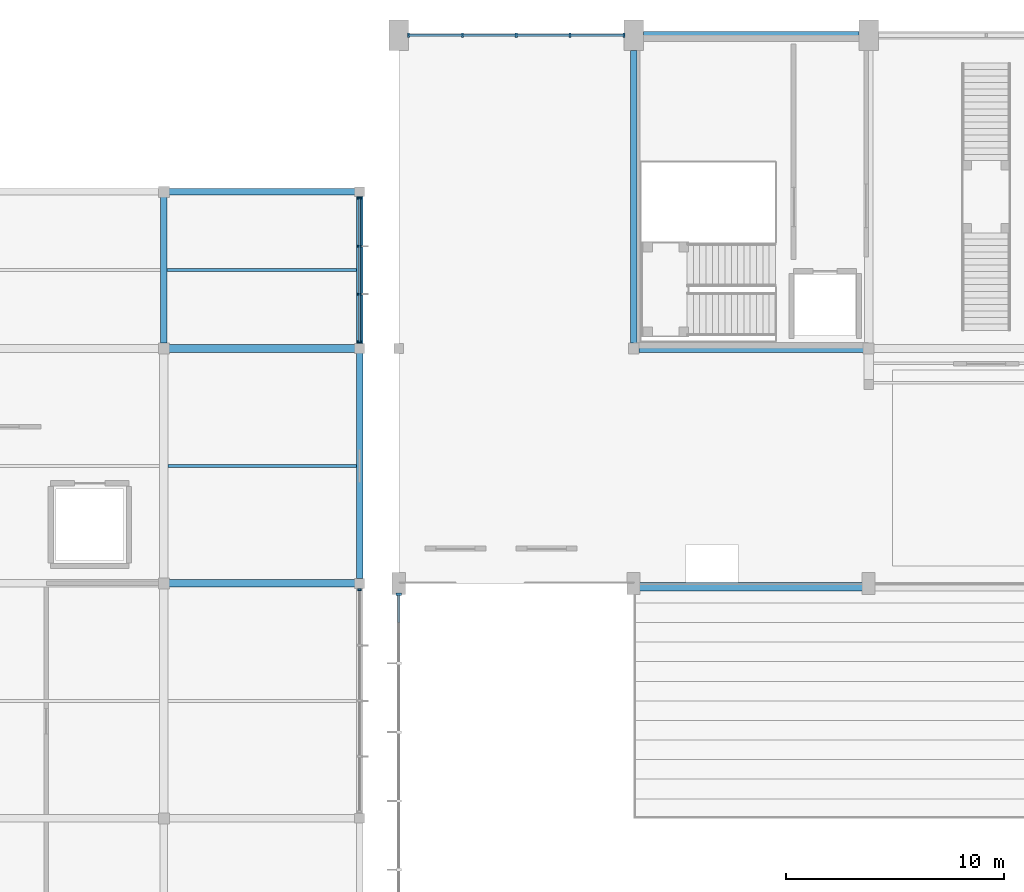
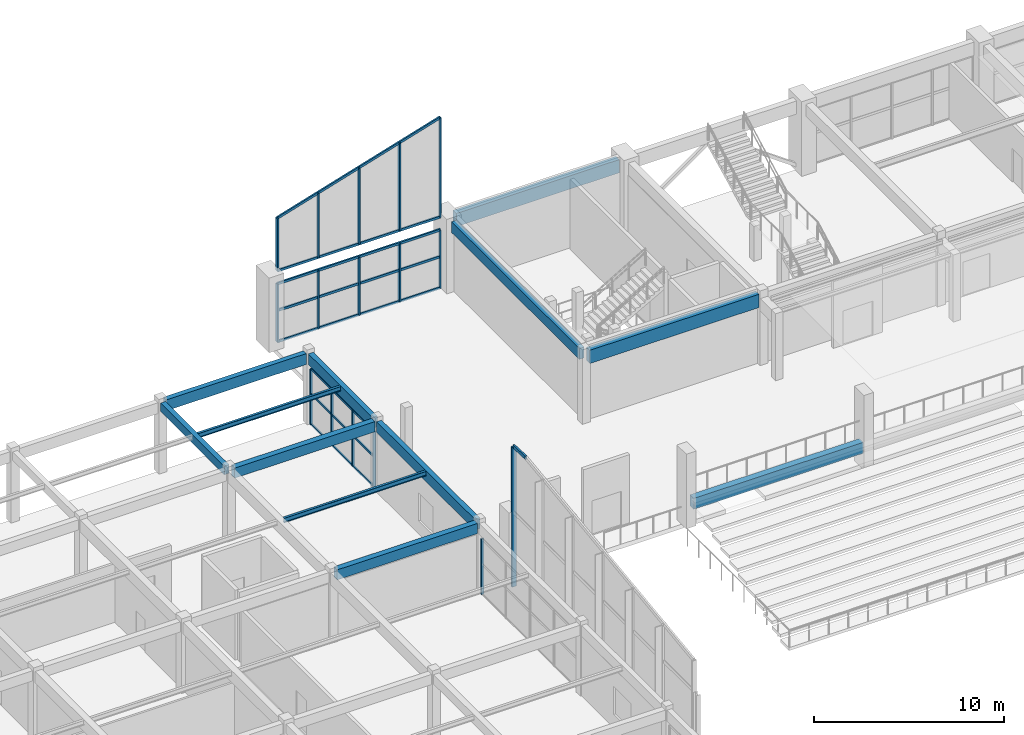
# One storey, part 24 of 74: 39 members, 12 beams, 5 elements without a shape of their own.
"""IFC4 building model written with IfcOpenShell, lengths in metres."""

from ifc_helpers import new_model, si_unit, direction, frame, origin, origin_2d, place, context, subcontext, project, spatial, rectangle, i_section, extrude, material, material_profile, profile_set, type_object, element, aggregate, save


model = new_model("IFC4")

# Units and contexts
model_context = context("Model", 3, precision=1e-05, world=origin(), true_north=direction((0.0, 1.0)))
body_context = subcontext(model_context, "Body", "Model", "MODEL_VIEW")
ifc_project = project(units=[si_unit("LENGTHUNIT", "METRE"), si_unit("AREAUNIT", "SQUARE_METRE"), si_unit("VOLUMEUNIT", "CUBIC_METRE"), si_unit("PLANEANGLEUNIT", "RADIAN"), si_unit("MASSUNIT", "GRAM", prefix="KILO")], contexts=[model_context])

# Site, building, storey
site_placement = place(None, origin())
site = spatial("IfcSite", under=ifc_project, at=site_placement, CompositionType="ELEMENT")
building_placement = place(site_placement, origin())
building = spatial("IfcBuilding", under=site, at=building_placement, Name="Suirenkawa Promenade Aquatics Centre", CompositionType="ELEMENT")
storey_placement = place(building_placement, frame((0.0, 0.0, 4.800048828125)))
storey = spatial("IfcBuildingStorey", under=building, at=storey_placement, Name="L01", CompositionType="ELEMENT", Elevation=4.800048828125)

# Beams
ifc_material_1 = material(Name="Steel IS 2062 E350 (Grade 350)", Category="steel")
ifc_material_profile_1 = material_profile(ifc_material_1, i_section(OverallWidth=0.139892578125, OverallDepth=0.300048828125, WebThickness=0.008056640625, FlangeThickness=0.012939453125, at=origin_2d()), Name="ISMB 300", Category="steel")
ifc_profile_set_1 = profile_set([ifc_material_profile_1], Name="Steel IS 2062 E350 (Grade 350)")
beam_type_1 = type_object("IfcBeamType", Name="BT-JOIST-ISMB300", PredefinedType="JOIST", material=ifc_profile_set_1)
beam_1_placement = place(storey_placement, frame((36.194091796875, 102.60009765625, 4.387939453125), z_axis=(1.0, 0.0, 0.0), x_axis=(0.0, 1.0, 0.0)))
element("IfcBeam", 1, at=beam_1_placement, inside=storey, type_object=beam_type_1, Name="Secondary floor joist JS-02 BM-0576", PredefinedType="JOIST", context=body_context, shape_type="SweptSolid", body=[
    extrude(i_section(OverallWidth=0.139892578125, OverallDepth=0.300048828125, WebThickness=0.008056640625, FlangeThickness=0.012939453125, at=origin_2d()), origin(), (0.0, 0.0, 1.0), 8.661865234375),
])
beam_2_placement = place(storey_placement, frame((36.14404296875, 111.60009765625, 4.387939453125), z_axis=(1.0, 0.0, 0.0), x_axis=(0.0, 1.0, 0.0)))
element("IfcBeam", 2, at=beam_2_placement, inside=storey, type_object=beam_type_1, Name="Secondary floor joist JS-02 BM-0577", PredefinedType="JOIST", context=body_context, shape_type="SweptSolid", body=[
    extrude(i_section(OverallWidth=0.139892578125, OverallDepth=0.300048828125, WebThickness=0.008056640625, FlangeThickness=0.012939453125, at=origin_2d()), origin(), (0.0, 0.0, 1.0), 8.7119140625),
])
ifc_material_2 = material(Name="Concrete M35", Category="concrete")
ifc_material_profile_2 = material_profile(ifc_material_2, rectangle(XDim=0.300048828125, YDim=0.550048828125, at=origin_2d()), Name="RC BM 300x550", Category="concrete")
ifc_profile_set_2 = profile_set([ifc_material_profile_2], Name="Concrete M35")
beam_type_2 = type_object("IfcBeamType", Name="BT-RC-300x550", PredefinedType="BEAM", material=ifc_profile_set_2)
beam_3_placement = place(storey_placement, frame((36.0, 108.243896484375, 4.264892578125), z_axis=(0.0, 1.0, 0.0), x_axis=(-1.0, 0.0, 0.0)))
element("IfcBeam", 3, at=beam_3_placement, inside=storey, type_object=beam_type_2, Name="Floor beam BM-01 BM-0509", PredefinedType="BEAM", context=body_context, shape_type="SweptSolid", body=[
    extrude(rectangle(XDim=0.300048828125, YDim=0.550048828125, at=origin_2d()), origin(), (0.0, 0.0, 1.0), 6.712158203125),
])
ifc_material_profile_3 = material_profile(ifc_material_2, rectangle(XDim=0.35009765625, YDim=0.64990234375, at=origin_2d()), Name="RC BM 350x650", Category="concrete")
ifc_profile_set_3 = profile_set([ifc_material_profile_3], Name="Concrete M35")
beam_type_3 = type_object("IfcBeamType", Name="BT-RC-350x650", PredefinedType="BEAM", material=ifc_profile_set_3)
for number, where, z_axis, x_axis, name in (
    (4, (36.243896484375, 97.199951171875, 4.21484375), (1.0, 0.0, 0.0), (0.0, 1.0, 0.0), "Floor beam BM-03 BM-0439"),
    (5, (36.243896484375, 108.0, 4.21484375), (1.0, 0.0, 0.0), (0.0, 1.0, 0.0), "Floor beam BM-03 BM-0444"),
):
    element("IfcBeam", number, at=place(storey_placement, frame(where, z_axis=z_axis, x_axis=x_axis)), inside=storey, type_object=beam_type_3, Name=name, PredefinedType="BEAM", context=body_context, shape_type="SweptSolid", body=[
        extrude(rectangle(XDim=0.35009765625, YDim=0.64990234375, at=origin_2d()), origin(), (0.0, 0.0, 1.0), 8.537109375),
    ])
ifc_material_profile_4 = material_profile(ifc_material_2, rectangle(XDim=0.39990234375, YDim=0.699951171875, at=origin_2d()), Name="RC BM 400x700", Category="concrete")
ifc_profile_set_4 = profile_set([ifc_material_profile_4], Name="Concrete M35")
beam_type_4 = type_object("IfcBeamType", Name="BT-RC-400x700", PredefinedType="BEAM", material=ifc_profile_set_4)
beam_4_placement = place(storey_placement, frame((57.840087890625, 97.050048828125, 1.329833984375), z_axis=(1.0, 0.0, 0.0), x_axis=(0.0, 1.0, 0.0)))
element("IfcBeam", 6, at=beam_4_placement, inside=storey, type_object=beam_type_4, Name="Bowl top header beam BM-04 BM-1176", PredefinedType="BEAM", context=body_context, shape_type="SweptSolid", body=[
    extrude(rectangle(XDim=0.39990234375, YDim=0.699951171875, at=origin_2d()), origin(), (0.0, 0.0, 1.0), 10.31982421875),
])
ifc_material_3 = material(Name="Concrete M40", Category="concrete")
ifc_material_profile_5 = material_profile(ifc_material_3, rectangle(XDim=0.300048828125, YDim=0.699951171875, at=origin_2d()), Name="RC SPANDREL 300x700", Category="concrete")
ifc_profile_set_5 = profile_set([ifc_material_profile_5], Name="Concrete M40")
beam_type_5 = type_object("IfcBeamType", Name="BT-SPANDREL-300x700", PredefinedType="SPANDREL", material=ifc_profile_set_5)
beam_5_placement = place(storey_placement, frame((36.243896484375, 115.199951171875, 4.18994140625), z_axis=(1.0, 0.0, 0.0), x_axis=(0.0, 1.0, 0.0)))
element("IfcBeam", 7, at=beam_5_placement, inside=storey, type_object=beam_type_5, Name="Floor beam SP-01 BM-0449", PredefinedType="SPANDREL", context=body_context, shape_type="SweptSolid", body=[
    extrude(rectangle(XDim=0.300048828125, YDim=0.699951171875, at=origin_2d()), origin(), (0.0, 0.0, 1.0), 8.537109375),
])
beam_6_placement = place(storey_placement, frame((45.0, 97.4189453125, 4.18994140625), z_axis=(0.0, 1.0, 0.0), x_axis=(-1.0, 0.0, 0.0)))
element("IfcBeam", 8, at=beam_6_placement, inside=storey, type_object=beam_type_5, Name="Floor beam SP-01 BM-0520", PredefinedType="SPANDREL", context=body_context, shape_type="SweptSolid", body=[
    extrude(rectangle(XDim=0.300048828125, YDim=0.699951171875, at=origin_2d()), origin(), (0.0, 0.0, 1.0), 10.362060546875),
])
beam_7_placement = place(storey_placement, frame((45.0, 108.218994140625, 4.18994140625), z_axis=(0.0, 1.0, 0.0), x_axis=(-1.0, 0.0, 0.0)))
element("IfcBeam", 9, at=beam_7_placement, inside=storey, type_object=beam_type_5, Name="Floor beam SP-01 BM-0521", PredefinedType="SPANDREL", context=body_context, shape_type="SweptSolid", body=[
    extrude(rectangle(XDim=0.300048828125, YDim=0.699951171875, at=origin_2d()), origin(), (0.0, 0.0, 1.0), 6.761962890625),
])
beam_8_placement = place(storey_placement, frame((57.60009765625, 108.243896484375, 4.199951171875), z_axis=(0.0, 1.0, 0.0), x_axis=(-1.0, 0.0, 0.0)))
element("IfcBeam", 10, at=beam_8_placement, inside=storey, type_object=beam_type_5, Name="Floor beam SP-01 BM-1142", PredefinedType="SPANDREL", context=body_context, shape_type="SweptSolid", body=[
    extrude(rectangle(XDim=0.300048828125, YDim=0.699951171875, at=origin_2d()), origin(), (0.0, 0.0, 1.0), 13.462158203125),
])
ifc_material_profile_6 = material_profile(ifc_material_3, rectangle(XDim=0.35009765625, YDim=0.85009765625, at=origin_2d()), Name="RC SPANDREL 350x850", Category="concrete")
ifc_profile_set_6 = profile_set([ifc_material_profile_6], Name="Concrete M40")
beam_type_6 = type_object("IfcBeamType", Name="BT-SPANDREL-350x850", PredefinedType="SPANDREL", material=ifc_profile_set_6)
beam_9_placement = place(storey_placement, frame((57.843994140625, 108.0, 4.125), z_axis=(1.0, 0.0, 0.0), x_axis=(0.0, 1.0, 0.0)))
element("IfcBeam", 11, at=beam_9_placement, inside=storey, type_object=beam_type_6, Name="Floor beam SP-02 BM-1126", PredefinedType="SPANDREL", context=body_context, shape_type="SweptSolid", body=[
    extrude(rectangle(XDim=0.35009765625, YDim=0.85009765625, at=origin_2d()), origin(), (0.0, 0.0, 1.0), 10.31201171875),
])
beam_10_placement = place(storey_placement, frame((58.0439453125, 122.39990234375, 4.125), z_axis=(1.0, 0.0, 0.0), x_axis=(0.0, 1.0, 0.0)))
element("IfcBeam", 12, at=beam_10_placement, inside=storey, type_object=beam_type_6, Name="Floor beam SP-02 BM-1134", PredefinedType="SPANDREL", context=body_context, shape_type="SweptSolid", body=[
    extrude(rectangle(XDim=0.35009765625, YDim=0.85009765625, at=origin_2d()), origin(), (0.0, 0.0, 1.0), 9.912109375),
])

# Curtain wall, member
ifc_material_4 = material(Name="Anodised aluminium 6063-T6", Category="aluminium")
curtain_wall_type_1 = type_object("IfcCurtainWallType", Name="CWAT-V5EL01-53", PredefinedType="NOTDEFINED", material=ifc_material_4)
curtain_wall_1_placement = place(storey_placement, origin())
curtain_wall_1 = element("IfcCurtainWall", 13, at=curtain_wall_1_placement, inside=storey, type_object=curtain_wall_type_1, Name="Curtain wall CWA-53 CW-109", PredefinedType="NOTDEFINED")
ifc_material_profile_7 = material_profile(ifc_material_4, rectangle(XDim=0.090087890625, YDim=0.159912109375, at=origin_2d()), Name="ALU MULL 90x160", Category="aluminium")
ifc_profile_set_7 = profile_set([ifc_material_profile_7], Name="Anodised aluminium 6063-T6")
member_type_1 = type_object("IfcMemberType", Name="CWM-160x90", PredefinedType="MULLION", material=ifc_profile_set_7)
member_1_placement = place(storey_placement, frame((45.0, 96.90087890625, 0.0), z_axis=(0.0, 0.0, 1.0), x_axis=(0.0, -1.0, 0.0)))
member_1 = element("IfcMember", 14, at=member_1_placement, type_object=member_type_1, Name="Mullion ML-03 CWM-02187", PredefinedType="MULLION", context=body_context, shape_type="SweptSolid", body=[
    extrude(rectangle(XDim=0.090087890625, YDim=0.159912109375, at=origin_2d()), origin(), (0.0, 0.0, 1.0), 3.570068359375),
])
aggregate(curtain_wall_1, [member_1])

# Curtain wall, members
curtain_wall_type_2 = type_object("IfcCurtainWallType", Name="CWAT-V5EL01-59", PredefinedType="NOTDEFINED", material=ifc_material_4)
curtain_wall_2_placement = place(storey_placement, origin())
curtain_wall_2 = element("IfcCurtainWall", 15, at=curtain_wall_2_placement, inside=storey, type_object=curtain_wall_type_2, Name="Curtain wall CWA-59 CW-112", PredefinedType="NOTDEFINED")
member_2_placement = place(storey_placement, frame((45.0, 114.90087890625, 0.0), z_axis=(0.0, 0.0, 1.0), x_axis=(0.0, -1.0, 0.0)))
member_2 = element("IfcMember", 16, at=member_2_placement, type_object=member_type_1, Name="Mullion ML-03 CWM-02248", PredefinedType="MULLION", context=body_context, shape_type="SweptSolid", body=[
    extrude(rectangle(XDim=0.090087890625, YDim=0.159912109375, at=origin_2d()), origin(), (0.0, 0.0, 1.0), 3.570068359375),
])
member_3_placement = place(storey_placement, frame((45.0, 112.700439453125, 0.0), z_axis=(0.0, 0.0, 1.0), x_axis=(0.0, -1.0, 0.0)))
member_3 = element("IfcMember", 17, at=member_3_placement, type_object=member_type_1, Name="Mullion ML-03 CWM-02249", PredefinedType="MULLION", context=body_context, shape_type="SweptSolid", body=[
    extrude(rectangle(XDim=0.090087890625, YDim=0.159912109375, at=origin_2d()), origin(), (0.0, 0.0, 1.0), 3.570068359375),
])
member_4_placement = place(storey_placement, frame((45.0, 110.499755859375, 0.0), z_axis=(0.0, 0.0, 1.0), x_axis=(0.0, -1.0, 0.0)))
member_4 = element("IfcMember", 18, at=member_4_placement, type_object=member_type_1, Name="Mullion ML-03 CWM-02250", PredefinedType="MULLION", context=body_context, shape_type="SweptSolid", body=[
    extrude(rectangle(XDim=0.090087890625, YDim=0.159912109375, at=origin_2d()), origin(), (0.0, 0.0, 1.0), 3.570068359375),
])
member_5_placement = place(storey_placement, frame((45.0, 108.299072265625, 0.0), z_axis=(0.0, 0.0, 1.0), x_axis=(0.0, -1.0, 0.0)))
member_5 = element("IfcMember", 19, at=member_5_placement, type_object=member_type_1, Name="Mullion ML-03 CWM-02251", PredefinedType="MULLION", context=body_context, shape_type="SweptSolid", body=[
    extrude(rectangle(XDim=0.090087890625, YDim=0.159912109375, at=origin_2d()), origin(), (0.0, 0.0, 1.0), 3.570068359375),
])

curtain_wall_type_3 = type_object("IfcCurtainWallType", Name="CWAT-CLERN-06", PredefinedType="NOTDEFINED", material=ifc_material_4)
curtain_wall_3_placement = place(storey_placement, origin())
curtain_wall_3 = element("IfcCurtainWall", 20, at=curtain_wall_3_placement, inside=storey, type_object=curtain_wall_type_3, Name="Curtain wall CWA-06 CW-010", PredefinedType="NOTDEFINED")
ifc_material_profile_8 = material_profile(ifc_material_4, rectangle(XDim=0.094970703125, YDim=0.18994140625, at=origin_2d()), Name="ALU MULL 95x190", Category="aluminium")
ifc_profile_set_8 = profile_set([ifc_material_profile_8], Name="Anodised aluminium 6063-T6")
member_type_2 = type_object("IfcMemberType", Name="CWM-190x95", PredefinedType="MULLION", material=ifc_profile_set_8)
member_6_placement = place(storey_placement, frame((47.2490234375, 122.39990234375, 4.56005859375), z_axis=(0.0, 0.0, 1.0), x_axis=(1.0, 0.0, 0.0)))
member_6 = element("IfcMember", 21, at=member_6_placement, type_object=member_type_2, Name="Mullion ML-02 CWM-00228", PredefinedType="MULLION", context=body_context, shape_type="SweptSolid", body=[
    extrude(rectangle(XDim=0.094970703125, YDim=0.18994140625, at=origin_2d()), origin(), (0.0, 0.0, 1.0), 3.389892578125),
])
member_7_placement = place(storey_placement, frame((49.724609375, 122.39990234375, 4.56005859375), z_axis=(0.0, 0.0, 1.0), x_axis=(1.0, 0.0, 0.0)))
member_7 = element("IfcMember", 22, at=member_7_placement, type_object=member_type_2, Name="Mullion ML-02 CWM-00229", PredefinedType="MULLION", context=body_context, shape_type="SweptSolid", body=[
    extrude(rectangle(XDim=0.094970703125, YDim=0.18994140625, at=origin_2d()), origin(), (0.0, 0.0, 1.0), 4.139892578125),
])
member_8_placement = place(storey_placement, frame((52.199951171875, 122.39990234375, 4.56005859375), z_axis=(0.0, 0.0, 1.0), x_axis=(1.0, 0.0, 0.0)))
member_8 = element("IfcMember", 23, at=member_8_placement, type_object=member_type_2, Name="Mullion ML-02 CWM-00230", PredefinedType="MULLION", context=body_context, shape_type="SweptSolid", body=[
    extrude(rectangle(XDim=0.094970703125, YDim=0.18994140625, at=origin_2d()), origin(), (0.0, 0.0, 1.0), 4.889892578125),
])
member_9_placement = place(storey_placement, frame((54.675537109375, 122.39990234375, 4.56005859375), z_axis=(0.0, 0.0, 1.0), x_axis=(1.0, 0.0, 0.0)))
member_9 = element("IfcMember", 24, at=member_9_placement, type_object=member_type_2, Name="Mullion ML-02 CWM-00231", PredefinedType="MULLION", context=body_context, shape_type="SweptSolid", body=[
    extrude(rectangle(XDim=0.094970703125, YDim=0.18994140625, at=origin_2d()), origin(), (0.0, 0.0, 1.0), 5.639892578125),
])
member_10_placement = place(storey_placement, frame((57.15087890625, 122.39990234375, 4.56005859375), z_axis=(0.0, 0.0, 1.0), x_axis=(1.0, 0.0, 0.0)))
member_10 = element("IfcMember", 25, at=member_10_placement, type_object=member_type_2, Name="Mullion ML-02 CWM-00232", PredefinedType="MULLION", context=body_context, shape_type="SweptSolid", body=[
    extrude(rectangle(XDim=0.094970703125, YDim=0.18994140625, at=origin_2d()), origin(), (0.0, 0.0, 1.0), 6.389892578125),
])

curtain_wall_type_4 = type_object("IfcCurtainWallType", Name="CWAT-V1CONC-07", PredefinedType="NOTDEFINED", material=ifc_material_4)
curtain_wall_4_placement = place(storey_placement, origin())
curtain_wall_4 = element("IfcCurtainWall", 26, at=curtain_wall_4_placement, inside=storey, type_object=curtain_wall_type_4, Name="Curtain wall CWA-07 CW-011", PredefinedType="NOTDEFINED")
member_11_placement = place(storey_placement, frame((47.2490234375, 122.39990234375, 0.0), z_axis=(0.0, 0.0, 1.0), x_axis=(1.0, 0.0, 0.0)))
member_11 = element("IfcMember", 27, at=member_11_placement, type_object=member_type_2, Name="Mullion ML-02 CWM-00243", PredefinedType="MULLION", context=body_context, shape_type="SweptSolid", body=[
    extrude(rectangle(XDim=0.094970703125, YDim=0.18994140625, at=origin_2d()), origin(), (0.0, 0.0, 1.0), 3.719970703125),
])
member_12_placement = place(storey_placement, frame((49.724609375, 122.39990234375, 0.0), z_axis=(0.0, 0.0, 1.0), x_axis=(1.0, 0.0, 0.0)))
member_12 = element("IfcMember", 28, at=member_12_placement, type_object=member_type_2, Name="Mullion ML-02 CWM-00244", PredefinedType="MULLION", context=body_context, shape_type="SweptSolid", body=[
    extrude(rectangle(XDim=0.094970703125, YDim=0.18994140625, at=origin_2d()), origin(), (0.0, 0.0, 1.0), 3.719970703125),
])
member_13_placement = place(storey_placement, frame((52.199951171875, 122.39990234375, 0.0), z_axis=(0.0, 0.0, 1.0), x_axis=(1.0, 0.0, 0.0)))
member_13 = element("IfcMember", 29, at=member_13_placement, type_object=member_type_2, Name="Mullion ML-02 CWM-00245", PredefinedType="MULLION", context=body_context, shape_type="SweptSolid", body=[
    extrude(rectangle(XDim=0.094970703125, YDim=0.18994140625, at=origin_2d()), origin(), (0.0, 0.0, 1.0), 3.719970703125),
])
member_14_placement = place(storey_placement, frame((54.675537109375, 122.39990234375, 0.0), z_axis=(0.0, 0.0, 1.0), x_axis=(1.0, 0.0, 0.0)))
member_14 = element("IfcMember", 30, at=member_14_placement, type_object=member_type_2, Name="Mullion ML-02 CWM-00246", PredefinedType="MULLION", context=body_context, shape_type="SweptSolid", body=[
    extrude(rectangle(XDim=0.094970703125, YDim=0.18994140625, at=origin_2d()), origin(), (0.0, 0.0, 1.0), 3.719970703125),
])
member_15_placement = place(storey_placement, frame((57.15087890625, 122.39990234375, 0.0), z_axis=(0.0, 0.0, 1.0), x_axis=(1.0, 0.0, 0.0)))
member_15 = element("IfcMember", 31, at=member_15_placement, type_object=member_type_2, Name="Mullion ML-02 CWM-00247", PredefinedType="MULLION", context=body_context, shape_type="SweptSolid", body=[
    extrude(rectangle(XDim=0.094970703125, YDim=0.18994140625, at=origin_2d()), origin(), (0.0, 0.0, 1.0), 3.719970703125),
])

# Curtain wall, member
curtain_wall_type_5 = type_object("IfcCurtainWallType", Name="CWAT-GABLEV1-04", PredefinedType="NOTDEFINED", material=ifc_material_4)
curtain_wall_5_placement = place(storey_placement, origin())
curtain_wall_5 = element("IfcCurtainWall", 32, at=curtain_wall_5_placement, inside=storey, type_object=curtain_wall_type_5, Name="Curtain wall CWA-04 CW-004", PredefinedType="NOTDEFINED")
ifc_material_profile_9 = material_profile(ifc_material_4, rectangle(XDim=0.110107421875, YDim=0.260009765625, at=origin_2d()), Name="ALU MULL 110x260", Category="aluminium")
ifc_profile_set_9 = profile_set([ifc_material_profile_9], Name="Anodised aluminium 6063-T6")
member_type_3 = type_object("IfcMemberType", Name="CWM-260x110", PredefinedType="MULLION", material=ifc_profile_set_9)
member_16_placement = place(storey_placement, frame((46.800048828125, 96.700927734375, 0.0), z_axis=(0.0, 0.0, 1.0), x_axis=(0.0, 1.0, 0.0)))
member_16 = element("IfcMember", 33, at=member_16_placement, type_object=member_type_3, Name="Mullion ML-04 CWM-00064", PredefinedType="MULLION", context=body_context, shape_type="SweptSolid", body=[
    extrude(rectangle(XDim=0.110107421875, YDim=0.260009765625, at=origin_2d()), origin(), (0.0, 0.0, 1.0), 8.996826171875),
])

# Member
ifc_material_profile_10 = material_profile(ifc_material_4, rectangle(XDim=0.090087890625, YDim=0.1298828125, at=origin_2d()), Name="ALU TRAN 90x130", Category="aluminium")
ifc_profile_set_10 = profile_set([ifc_material_profile_10], Name="Anodised aluminium 6063-T6")
member_type_4 = type_object("IfcMemberType", Name="CWT-130x90", PredefinedType="USERDEFINED", material=ifc_profile_set_10)
member_17_placement = place(storey_placement, frame((45.0, 114.90087890625, 0.0), z_axis=(0.0, -1.0, 0.0), x_axis=(1.0, 0.0, 0.0)))
member_17 = element("IfcMember", 34, at=member_17_placement, type_object=member_type_4, Name="Transom TR-03 CWT-02252", ObjectType="TRANSOM", PredefinedType="USERDEFINED", context=body_context, shape_type="SweptSolid", body=[
    extrude(rectangle(XDim=0.090087890625, YDim=0.1298828125, at=origin_2d()), origin(), (0.0, 0.0, 1.0), 2.200439453125),
])

member_18_placement = place(storey_placement, frame((45.0, 112.700439453125, 0.0), z_axis=(0.0, -1.0, 0.0), x_axis=(1.0, 0.0, 0.0)))
member_18 = element("IfcMember", 35, at=member_18_placement, type_object=member_type_4, Name="Transom TR-03 CWT-02253", ObjectType="TRANSOM", PredefinedType="USERDEFINED", context=body_context, shape_type="SweptSolid", body=[
    extrude(rectangle(XDim=0.090087890625, YDim=0.1298828125, at=origin_2d()), origin(), (0.0, 0.0, 1.0), 2.20068359375),
])

member_19_placement = place(storey_placement, frame((45.0, 110.499755859375, 0.0), z_axis=(0.0, -1.0, 0.0), x_axis=(1.0, 0.0, 0.0)))
member_19 = element("IfcMember", 36, at=member_19_placement, type_object=member_type_4, Name="Transom TR-03 CWT-02254", ObjectType="TRANSOM", PredefinedType="USERDEFINED", context=body_context, shape_type="SweptSolid", body=[
    extrude(rectangle(XDim=0.090087890625, YDim=0.1298828125, at=origin_2d()), origin(), (0.0, 0.0, 1.0), 2.20068359375),
])

member_20_placement = place(storey_placement, frame((45.0, 114.90087890625, 1.949951171875), z_axis=(0.0, -1.0, 0.0), x_axis=(1.0, 0.0, 0.0)))
member_20 = element("IfcMember", 37, at=member_20_placement, type_object=member_type_4, Name="Transom TR-03 CWT-02255", ObjectType="TRANSOM", PredefinedType="USERDEFINED", context=body_context, shape_type="SweptSolid", body=[
    extrude(rectangle(XDim=0.090087890625, YDim=0.1298828125, at=origin_2d()), origin(), (0.0, 0.0, 1.0), 2.200439453125),
])

member_21_placement = place(storey_placement, frame((45.0, 112.700439453125, 1.949951171875), z_axis=(0.0, -1.0, 0.0), x_axis=(1.0, 0.0, 0.0)))
member_21 = element("IfcMember", 38, at=member_21_placement, type_object=member_type_4, Name="Transom TR-03 CWT-02256", ObjectType="TRANSOM", PredefinedType="USERDEFINED", context=body_context, shape_type="SweptSolid", body=[
    extrude(rectangle(XDim=0.090087890625, YDim=0.1298828125, at=origin_2d()), origin(), (0.0, 0.0, 1.0), 2.20068359375),
])

member_22_placement = place(storey_placement, frame((45.0, 110.499755859375, 1.949951171875), z_axis=(0.0, -1.0, 0.0), x_axis=(1.0, 0.0, 0.0)))
member_22 = element("IfcMember", 39, at=member_22_placement, type_object=member_type_4, Name="Transom TR-03 CWT-02257", ObjectType="TRANSOM", PredefinedType="USERDEFINED", context=body_context, shape_type="SweptSolid", body=[
    extrude(rectangle(XDim=0.090087890625, YDim=0.1298828125, at=origin_2d()), origin(), (0.0, 0.0, 1.0), 2.20068359375),
])

member_23_placement = place(storey_placement, frame((45.0, 114.90087890625, 3.570068359375), z_axis=(0.0, -1.0, 0.0), x_axis=(1.0, 0.0, 0.0)))
member_23 = element("IfcMember", 40, at=member_23_placement, type_object=member_type_4, Name="Roofline transom TR-03 CWT-02258", ObjectType="TRANSOM", PredefinedType="USERDEFINED", context=body_context, shape_type="SweptSolid", body=[
    extrude(rectangle(XDim=0.090087890625, YDim=0.1298828125, at=origin_2d()), origin(), (0.0, 0.0, 1.0), 6.601806640625),
])

aggregate(curtain_wall_2, [member_2, member_3, member_4, member_5, member_17, member_18, member_19, member_20, member_21, member_22, member_23])

ifc_material_profile_11 = material_profile(ifc_material_4, rectangle(XDim=0.094970703125, YDim=0.14990234375, at=origin_2d()), Name="ALU TRAN 95x150", Category="aluminium")
ifc_profile_set_11 = profile_set([ifc_material_profile_11], Name="Anodised aluminium 6063-T6")
member_type_5 = type_object("IfcMemberType", Name="CWT-150x95", PredefinedType="USERDEFINED", material=ifc_profile_set_11)
member_24_placement = place(storey_placement, frame((47.2490234375, 122.39990234375, 4.56005859375), z_axis=(1.0, 0.0, 0.0), x_axis=(0.0, 1.0, 0.0)))
member_24 = element("IfcMember", 41, at=member_24_placement, type_object=member_type_5, Name="Transom TR-02 CWT-00233", ObjectType="TRANSOM", PredefinedType="USERDEFINED", context=body_context, shape_type="SweptSolid", body=[
    extrude(rectangle(XDim=0.094970703125, YDim=0.14990234375, at=origin_2d()), origin(), (0.0, 0.0, 1.0), 2.4755859375),
])

member_25_placement = place(storey_placement, frame((49.724609375, 122.39990234375, 4.56005859375), z_axis=(1.0, 0.0, 0.0), x_axis=(0.0, 1.0, 0.0)))
member_25 = element("IfcMember", 42, at=member_25_placement, type_object=member_type_5, Name="Transom TR-02 CWT-00234", ObjectType="TRANSOM", PredefinedType="USERDEFINED", context=body_context, shape_type="SweptSolid", body=[
    extrude(rectangle(XDim=0.094970703125, YDim=0.14990234375, at=origin_2d()), origin(), (0.0, 0.0, 1.0), 2.475341796875),
])

member_26_placement = place(storey_placement, frame((52.199951171875, 122.39990234375, 4.56005859375), z_axis=(1.0, 0.0, 0.0), x_axis=(0.0, 1.0, 0.0)))
member_26 = element("IfcMember", 43, at=member_26_placement, type_object=member_type_5, Name="Transom TR-02 CWT-00235", ObjectType="TRANSOM", PredefinedType="USERDEFINED", context=body_context, shape_type="SweptSolid", body=[
    extrude(rectangle(XDim=0.094970703125, YDim=0.14990234375, at=origin_2d()), origin(), (0.0, 0.0, 1.0), 2.4755859375),
])

member_27_placement = place(storey_placement, frame((54.675537109375, 122.39990234375, 4.56005859375), z_axis=(1.0, 0.0, 0.0), x_axis=(0.0, 1.0, 0.0)))
member_27 = element("IfcMember", 44, at=member_27_placement, type_object=member_type_5, Name="Transom TR-02 CWT-00236", ObjectType="TRANSOM", PredefinedType="USERDEFINED", context=body_context, shape_type="SweptSolid", body=[
    extrude(rectangle(XDim=0.094970703125, YDim=0.14990234375, at=origin_2d()), origin(), (0.0, 0.0, 1.0), 2.475341796875),
])

member_28_placement = place(storey_placement, frame((47.2490234375, 122.39990234375, 7.949951171875), z_axis=(0.957039486046, 0.0, 0.289957621296), x_axis=(0.0, 1.0, 0.0)))
member_28 = element("IfcMember", 45, at=member_28_placement, type_object=member_type_5, Name="Roofline transom TR-02 CWT-00237", ObjectType="TRANSOM", PredefinedType="USERDEFINED", context=body_context, shape_type="SweptSolid", body=[
    extrude(rectangle(XDim=0.094970703125, YDim=0.14990234375, at=origin_2d()), origin(), (0.0, 0.0, 1.0), 5.173095703125),
])

member_29_placement = place(storey_placement, frame((52.199951171875, 122.39990234375, 9.449951171875), z_axis=(0.957039486046, 0.0, 0.289957621296), x_axis=(0.0, 1.0, 0.0)))
member_29 = element("IfcMember", 46, at=member_29_placement, type_object=member_type_5, Name="Roofline transom TR-02 CWT-00238", ObjectType="TRANSOM", PredefinedType="USERDEFINED", context=body_context, shape_type="SweptSolid", body=[
    extrude(rectangle(XDim=0.094970703125, YDim=0.14990234375, at=origin_2d()), origin(), (0.0, 0.0, 1.0), 5.173095703125),
])

aggregate(curtain_wall_3, [member_6, member_7, member_8, member_9, member_10, member_24, member_25, member_26, member_27, member_28, member_29])

member_30_placement = place(storey_placement, frame((47.2490234375, 122.39990234375, 0.0), z_axis=(1.0, 0.0, 0.0), x_axis=(0.0, 1.0, 0.0)))
member_30 = element("IfcMember", 47, at=member_30_placement, type_object=member_type_5, Name="Transom TR-02 CWT-00248", ObjectType="TRANSOM", PredefinedType="USERDEFINED", context=body_context, shape_type="SweptSolid", body=[
    extrude(rectangle(XDim=0.094970703125, YDim=0.14990234375, at=origin_2d()), origin(), (0.0, 0.0, 1.0), 2.4755859375),
])

member_31_placement = place(storey_placement, frame((49.724609375, 122.39990234375, 0.0), z_axis=(1.0, 0.0, 0.0), x_axis=(0.0, 1.0, 0.0)))
member_31 = element("IfcMember", 48, at=member_31_placement, type_object=member_type_5, Name="Transom TR-02 CWT-00249", ObjectType="TRANSOM", PredefinedType="USERDEFINED", context=body_context, shape_type="SweptSolid", body=[
    extrude(rectangle(XDim=0.094970703125, YDim=0.14990234375, at=origin_2d()), origin(), (0.0, 0.0, 1.0), 2.475341796875),
])

member_32_placement = place(storey_placement, frame((52.199951171875, 122.39990234375, 0.0), z_axis=(1.0, 0.0, 0.0), x_axis=(0.0, 1.0, 0.0)))
member_32 = element("IfcMember", 49, at=member_32_placement, type_object=member_type_5, Name="Transom TR-02 CWT-00250", ObjectType="TRANSOM", PredefinedType="USERDEFINED", context=body_context, shape_type="SweptSolid", body=[
    extrude(rectangle(XDim=0.094970703125, YDim=0.14990234375, at=origin_2d()), origin(), (0.0, 0.0, 1.0), 2.4755859375),
])

member_33_placement = place(storey_placement, frame((54.675537109375, 122.39990234375, 0.0), z_axis=(1.0, 0.0, 0.0), x_axis=(0.0, 1.0, 0.0)))
member_33 = element("IfcMember", 50, at=member_33_placement, type_object=member_type_5, Name="Transom TR-02 CWT-00251", ObjectType="TRANSOM", PredefinedType="USERDEFINED", context=body_context, shape_type="SweptSolid", body=[
    extrude(rectangle(XDim=0.094970703125, YDim=0.14990234375, at=origin_2d()), origin(), (0.0, 0.0, 1.0), 2.475341796875),
])

member_34_placement = place(storey_placement, frame((47.2490234375, 122.39990234375, 2.0), z_axis=(1.0, 0.0, 0.0), x_axis=(0.0, 1.0, 0.0)))
member_34 = element("IfcMember", 51, at=member_34_placement, type_object=member_type_5, Name="Transom TR-02 CWT-00252", ObjectType="TRANSOM", PredefinedType="USERDEFINED", context=body_context, shape_type="SweptSolid", body=[
    extrude(rectangle(XDim=0.094970703125, YDim=0.14990234375, at=origin_2d()), origin(), (0.0, 0.0, 1.0), 2.4755859375),
])

member_35_placement = place(storey_placement, frame((49.724609375, 122.39990234375, 2.0), z_axis=(1.0, 0.0, 0.0), x_axis=(0.0, 1.0, 0.0)))
member_35 = element("IfcMember", 52, at=member_35_placement, type_object=member_type_5, Name="Transom TR-02 CWT-00253", ObjectType="TRANSOM", PredefinedType="USERDEFINED", context=body_context, shape_type="SweptSolid", body=[
    extrude(rectangle(XDim=0.094970703125, YDim=0.14990234375, at=origin_2d()), origin(), (0.0, 0.0, 1.0), 2.475341796875),
])

member_36_placement = place(storey_placement, frame((52.199951171875, 122.39990234375, 2.0), z_axis=(1.0, 0.0, 0.0), x_axis=(0.0, 1.0, 0.0)))
member_36 = element("IfcMember", 53, at=member_36_placement, type_object=member_type_5, Name="Transom TR-02 CWT-00254", ObjectType="TRANSOM", PredefinedType="USERDEFINED", context=body_context, shape_type="SweptSolid", body=[
    extrude(rectangle(XDim=0.094970703125, YDim=0.14990234375, at=origin_2d()), origin(), (0.0, 0.0, 1.0), 2.4755859375),
])

member_37_placement = place(storey_placement, frame((54.675537109375, 122.39990234375, 2.0), z_axis=(1.0, 0.0, 0.0), x_axis=(0.0, 1.0, 0.0)))
member_37 = element("IfcMember", 54, at=member_37_placement, type_object=member_type_5, Name="Transom TR-02 CWT-00255", ObjectType="TRANSOM", PredefinedType="USERDEFINED", context=body_context, shape_type="SweptSolid", body=[
    extrude(rectangle(XDim=0.094970703125, YDim=0.14990234375, at=origin_2d()), origin(), (0.0, 0.0, 1.0), 2.475341796875),
])

member_38_placement = place(storey_placement, frame((47.2490234375, 122.39990234375, 3.719970703125), z_axis=(1.0, 0.0, 0.0), x_axis=(0.0, 1.0, 0.0)))
member_38 = element("IfcMember", 55, at=member_38_placement, type_object=member_type_5, Name="Roofline transom TR-02 CWT-00256", ObjectType="TRANSOM", PredefinedType="USERDEFINED", context=body_context, shape_type="SweptSolid", body=[
    extrude(rectangle(XDim=0.094970703125, YDim=0.14990234375, at=origin_2d()), origin(), (0.0, 0.0, 1.0), 9.90185546875),
])

aggregate(curtain_wall_4, [member_11, member_12, member_13, member_14, member_15, member_30, member_31, member_32, member_33, member_34, member_35, member_36, member_37, member_38])

ifc_material_profile_12 = material_profile(ifc_material_4, rectangle(XDim=0.110107421875, YDim=0.2099609375, at=origin_2d()), Name="ALU TRAN 110x210", Category="aluminium")
ifc_profile_set_12 = profile_set([ifc_material_profile_12], Name="Anodised aluminium 6063-T6")
member_type_6 = type_object("IfcMemberType", Name="CWT-210x110", PredefinedType="USERDEFINED", material=ifc_profile_set_12)
member_39_placement = place(storey_placement, frame((46.800048828125, 95.39990234375, 9.050048828125), z_axis=(0.0, 0.999164306777, -0.040874051206), x_axis=(-1.0, 0.0, 0.0)))
member_39 = element("IfcMember", 56, at=member_39_placement, type_object=member_type_6, Name="Roofline transom TR-04 CWT-00084", ObjectType="TRANSOM", PredefinedType="USERDEFINED", context=body_context, shape_type="SweptSolid", body=[
    extrude(rectangle(XDim=0.110107421875, YDim=0.2099609375, at=origin_2d()), origin(), (0.0, 0.0, 1.0), 1.302001953125),
])

aggregate(curtain_wall_5, [member_16, member_39])

save(model, "model.ifc")
